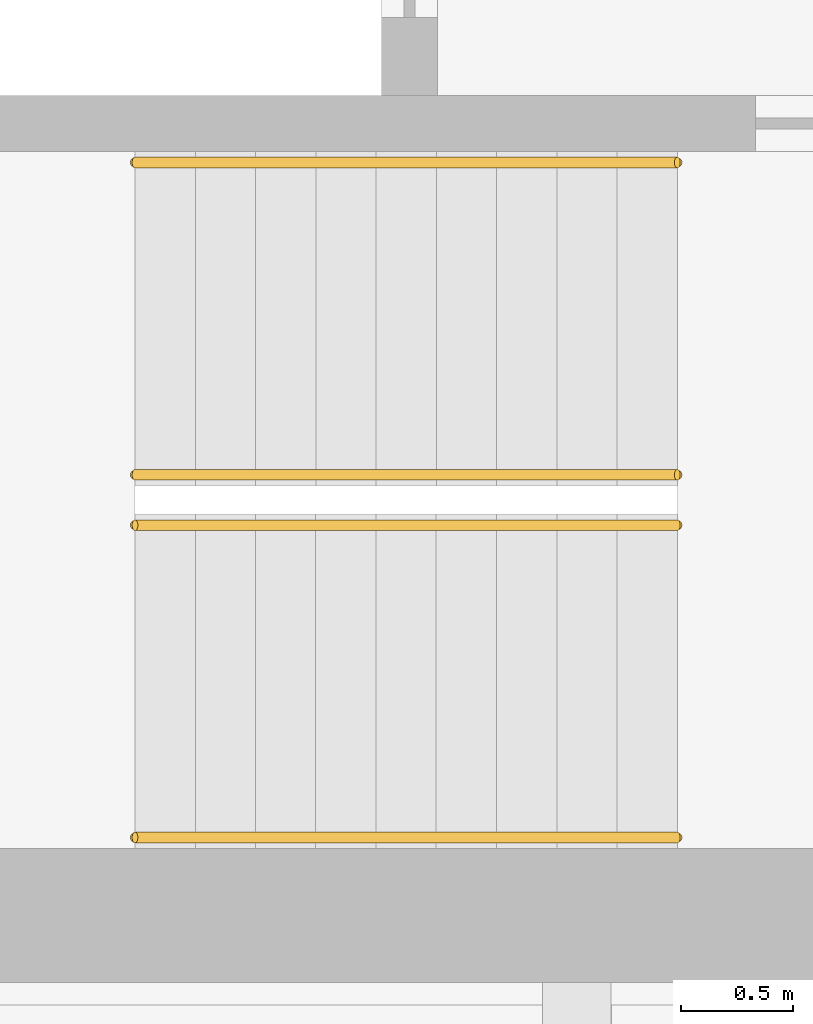
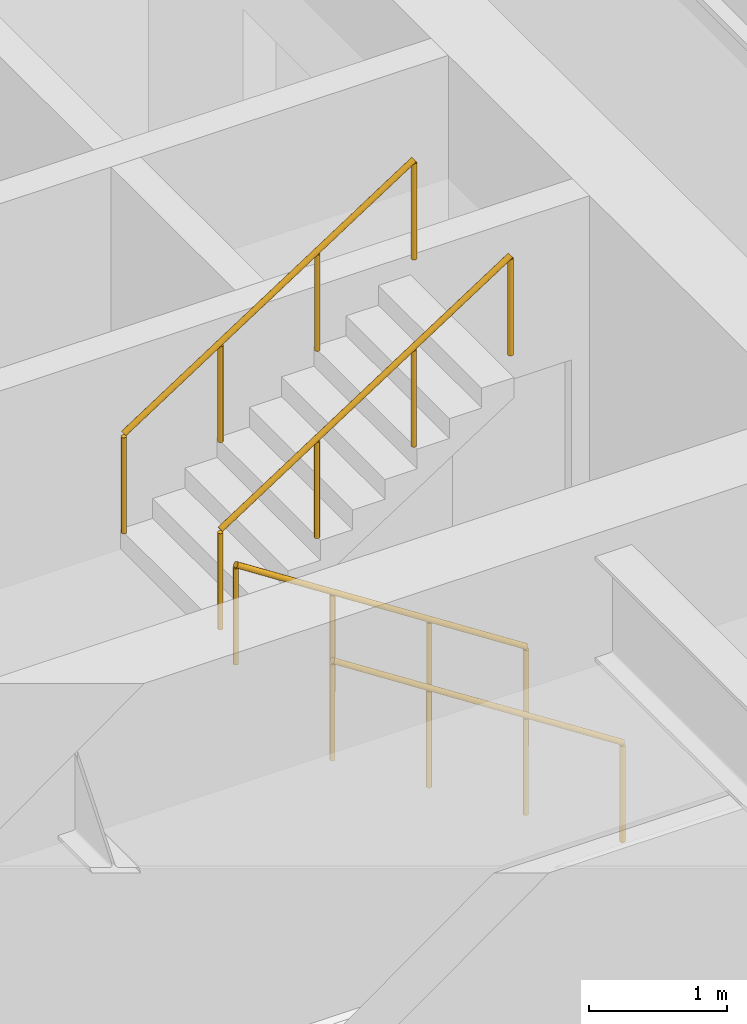
# One storey, part 17 of 21: 4 railings.
"""IFC4 building model written with IfcOpenShell, lengths in metres."""

from ifc_helpers import new_model, si_unit, direction, frame, origin, origin_2d, place, context, subcontext, project, spatial, circle, extrude, material, type_object, element, save


model = new_model("IFC4")

# Units and contexts
model_context = context("Model", 3, precision=1e-05, world=origin(), true_north=direction((0.0, 1.0)))
body_context = subcontext(model_context, "Body", "Model", "MODEL_VIEW")
ifc_project = project(units=[si_unit("LENGTHUNIT", "METRE"), si_unit("AREAUNIT", "SQUARE_METRE"), si_unit("VOLUMEUNIT", "CUBIC_METRE"), si_unit("PLANEANGLEUNIT", "RADIAN"), si_unit("MASSUNIT", "GRAM", prefix="KILO")], contexts=[model_context])

# Site, building, storey
site_placement = place(None, origin())
site = spatial("IfcSite", under=ifc_project, at=site_placement, CompositionType="ELEMENT")
building_placement = place(site_placement, origin())
building = spatial("IfcBuilding", under=site, at=building_placement, Name="Msasa Ring Tower", CompositionType="ELEMENT")
storey_placement = place(building_placement, frame((0.0, 0.0, 47.5)))
storey = spatial("IfcBuildingStorey", under=building, at=storey_placement, Name="L11", CompositionType="ELEMENT", Elevation=47.5)

# Railings
ifc_material = material(Name="Stainless steel", Category="steel")
railing_type = type_object("IfcRailingType", Name="HR1 HANDRAIL 900", PredefinedType="HANDRAIL", material=ifc_material)
for number, where, name in (
    (1, (-10.800048828125, -6.39990234375, 0.175048828125), "Handrail stair SWA L11 1"),
    (2, (-10.800048828125, -5.0, 0.175048828125), "Handrail stair SWA L11 2"),
):
    element("IfcRailing", number, at=place(storey_placement, frame(where)), inside=storey, type_object=railing_type, Name=name, PredefinedType="HANDRAIL", context=body_context, shape_type="SweptSolid", body=[
        extrude(circle(Radius=0.02392578125, at=origin_2d()), frame((0.0, 0.0, 0.8759765625), z_axis=(-0.839153699163, 0.0, 0.543894354798), x_axis=(0.0, -1.0, 0.0)), (0.0, 0.0, 1.0), 2.895751953125),
        extrude(circle(Radius=0.02099609375, at=origin_2d()), origin(), (0.0, 0.0, 1.0), 0.851806640625),
        extrude(circle(Radius=0.02099609375, at=origin_2d()), frame((-0.81005859375, 0.0, 0.52490234375)), (0.0, 0.0, 1.0), 0.851806640625),
        extrude(circle(Radius=0.02099609375, at=origin_2d()), frame((-1.619873046875, 0.0, 1.050048828125)), (0.0, 0.0, 1.0), 0.851806640625),
        extrude(circle(Radius=0.02099609375, at=origin_2d()), frame((-2.429931640625, 0.0, 1.574951171875)), (0.0, 0.0, 1.0), 0.851806640625),
    ])
for number, where, name in (
    (3, (-13.22998046875, -4.77490234375, 1.925048828125), "Handrail stair SWA L11 3"),
    (4, (-13.22998046875, -3.375, 1.925048828125), "Handrail stair SWA L11 4"),
):
    element("IfcRailing", number, at=place(storey_placement, frame(where)), inside=storey, type_object=railing_type, Name=name, PredefinedType="HANDRAIL", context=body_context, shape_type="SweptSolid", body=[
        extrude(circle(Radius=0.02392578125, at=origin_2d()), frame((0.0, 0.0, 0.8759765625), z_axis=(0.839153699163, 0.0, 0.543894354798), x_axis=(0.0, 1.0, 0.0)), (0.0, 0.0, 1.0), 2.895751953125),
        extrude(circle(Radius=0.02099609375, at=origin_2d()), origin(), (0.0, 0.0, 1.0), 0.851806640625),
        extrude(circle(Radius=0.02099609375, at=origin_2d()), frame((0.81005859375, 0.0, 0.52490234375)), (0.0, 0.0, 1.0), 0.851806640625),
        extrude(circle(Radius=0.02099609375, at=origin_2d()), frame((1.619873046875, 0.0, 1.050048828125)), (0.0, 0.0, 1.0), 0.851806640625),
        extrude(circle(Radius=0.02099609375, at=origin_2d()), frame((2.429931640625, 0.0, 1.574951171875)), (0.0, 0.0, 1.0), 0.851806640625),
    ])

save(model, "model.ifc")
